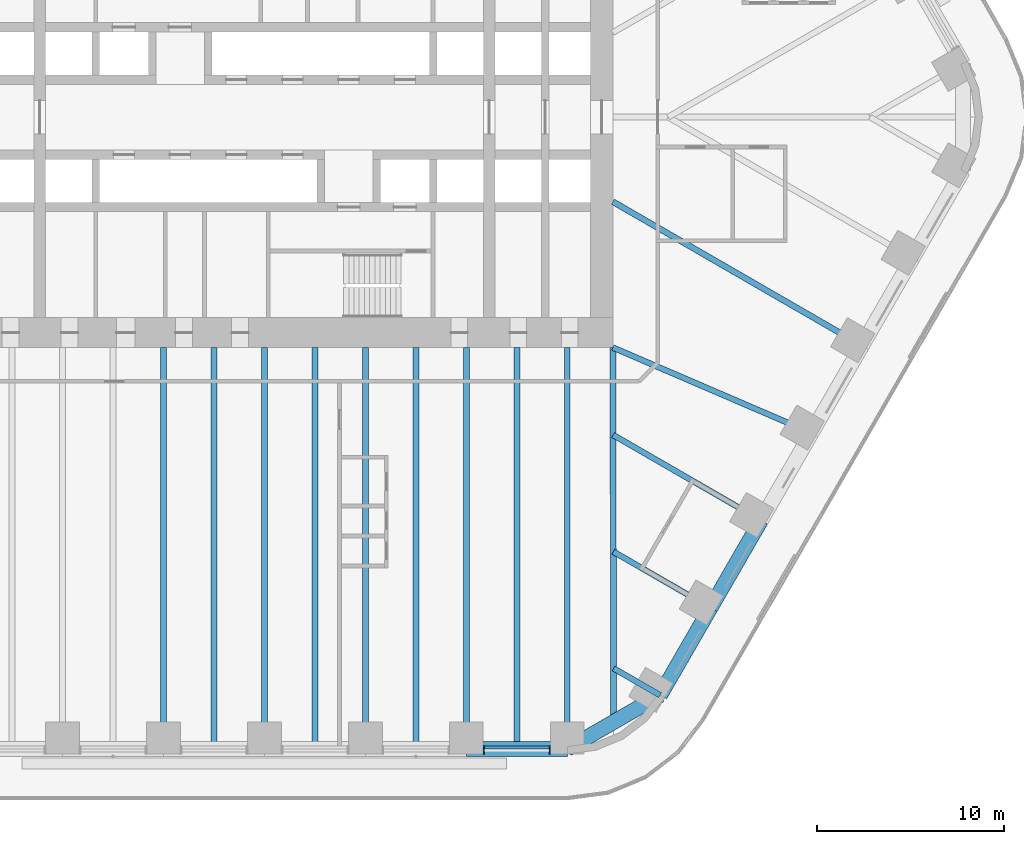
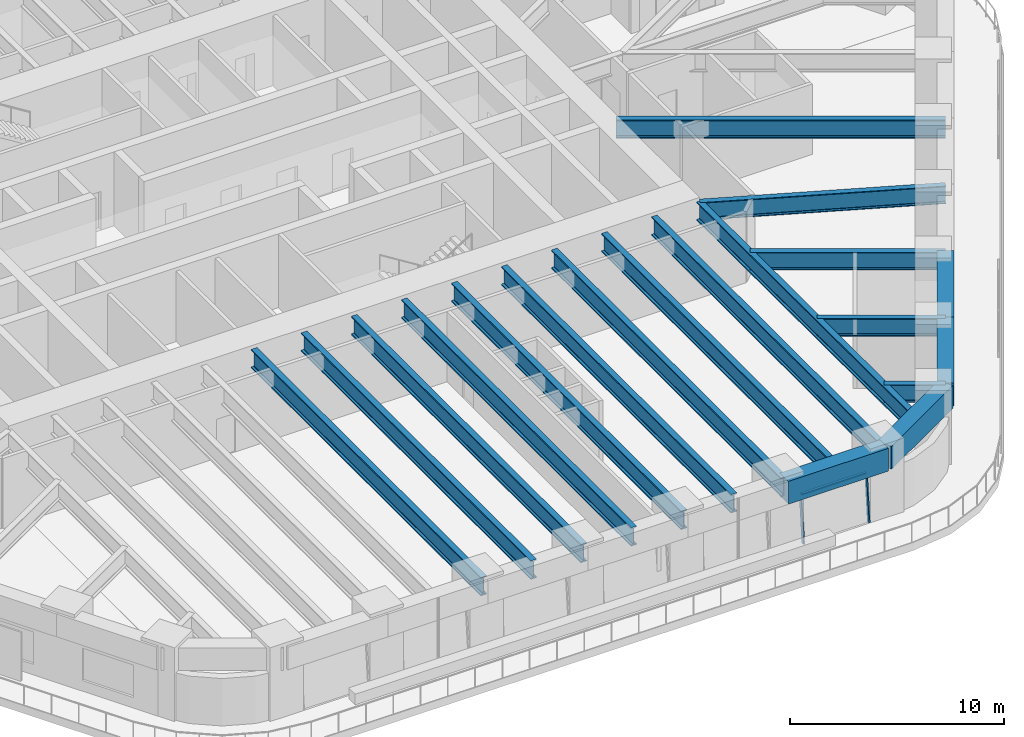
# One storey, part 5 of 24: 19 beams, 3 members, 1 element without a shape of its own.
"""IFC4 building model written with IfcOpenShell, lengths in metres."""

from ifc_helpers import new_model, si_unit, direction, frame, origin, origin_2d, place, context, subcontext, project, spatial, rectangle, i_section, extrude, material, material_profile, profile_set, type_object, element, aggregate, save


model = new_model("IFC4")

# Units and contexts
model_context = context("Model", 3, precision=1e-05, world=origin(), true_north=direction((0.0, 1.0)))
body_context = subcontext(model_context, "Body", "Model", "MODEL_VIEW")
ifc_project = project(units=[si_unit("LENGTHUNIT", "METRE"), si_unit("AREAUNIT", "SQUARE_METRE"), si_unit("VOLUMEUNIT", "CUBIC_METRE"), si_unit("PLANEANGLEUNIT", "RADIAN"), si_unit("MASSUNIT", "GRAM", prefix="KILO")], contexts=[model_context])

# Site, building, storey
site_placement = place(None, origin())
site = spatial("IfcSite", under=ifc_project, at=site_placement, CompositionType="ELEMENT")
building_placement = place(site_placement, origin())
building = spatial("IfcBuilding", under=site, at=building_placement, Name="Tarfa Lantern Tower", CompositionType="ELEMENT")
storey_placement = place(building_placement, frame((0.0, 0.0, 94.89990234375)))
storey = spatial("IfcBuildingStorey", under=building, at=storey_placement, Name="L21", CompositionType="ELEMENT", Elevation=94.89990234375)

# Curtain wall, members
ifc_material_1 = material(Name="Aluminium framed curtain wall", Category="aluminium")
curtain_wall_type = type_object("IfcCurtainWallType", Name="CW1 CANTED GLAZING LOW ZONE 2700", PredefinedType="USERDEFINED", material=ifc_material_1)
curtain_wall_placement = place(storey_placement, origin())
curtain_wall = element("IfcCurtainWall", 1, at=curtain_wall_placement, inside=storey, type_object=curtain_wall_type, Name="CW1 S L21", ObjectType="CURTAIN WALL", PredefinedType="USERDEFINED")
ifc_material_2 = material(Name="Aluminium mullion", Category="aluminium")
ifc_material_profile_1 = material_profile(ifc_material_2, rectangle(XDim=0.06494140625, YDim=0.199951171875, at=origin_2d()), Name="AL MULLION 65x200")
ifc_profile_set_1 = profile_set([ifc_material_profile_1], Name="Aluminium mullion")
member_type_1 = type_object("IfcMemberType", Name="CWM1 MULLION 65x200", PredefinedType="MULLION", material=ifc_profile_set_1)
member_1_placement = place(storey_placement, frame((11.709716796875, -33.89990234375, 0.0), z_axis=(0.0, 0.092191598296, 0.995741286281), x_axis=(-1.0, 0.0, 0.0)))
member_1 = element("IfcMember", 2, at=member_1_placement, type_object=member_type_1, Name="CW1 mullion 1", PredefinedType="MULLION", context=body_context, shape_type="SweptSolid", body=[
    extrude(rectangle(XDim=0.06494140625, YDim=0.199951171875, at=origin_2d()), origin(), (0.0, 0.0, 1.0), 2.711669921875),
])
member_2_placement = place(storey_placement, frame((15.2333984375, -33.89990234375, 0.0), z_axis=(0.0, 0.092191598296, 0.995741286281), x_axis=(-1.0, 0.0, 0.0)))
member_2 = element("IfcMember", 3, at=member_2_placement, type_object=member_type_1, Name="CW1 mullion 2", PredefinedType="MULLION", context=body_context, shape_type="SweptSolid", body=[
    extrude(rectangle(XDim=0.06494140625, YDim=0.199951171875, at=origin_2d()), origin(), (0.0, 0.0, 1.0), 2.711669921875),
])
ifc_material_3 = material(Name="Aluminium transom", Category="aluminium")
ifc_material_profile_2 = material_profile(ifc_material_3, rectangle(XDim=0.14990234375, YDim=0.06494140625, at=origin_2d()), Name="AL TRANSOM 150x65")
ifc_profile_set_2 = profile_set([ifc_material_profile_2], Name="Aluminium transom")
member_type_2 = type_object("IfcMemberType", Name="CWT1 TRANSOM 150x65", PredefinedType="USERDEFINED", material=ifc_profile_set_2)
member_3_placement = place(storey_placement, frame((11.7421875, -33.653076171875, 2.66748046875), z_axis=(1.0, 0.0, 0.0), x_axis=(0.0, 1.0, 0.0)))
member_3 = element("IfcMember", 4, at=member_3_placement, type_object=member_type_2, Name="CW1 transom 1.2", ObjectType="TRANSOM", PredefinedType="USERDEFINED", context=body_context, shape_type="SweptSolid", body=[
    extrude(rectangle(XDim=0.14990234375, YDim=0.06494140625, at=origin_2d()), origin(), (0.0, 0.0, 1.0), 3.458740234375),
])
aggregate(curtain_wall, [member_1, member_2, member_3])

# Beams
ifc_material_4 = material(Name="Concrete C80/95", Category="concrete")
ifc_material_profile_3 = material_profile(ifc_material_4, rectangle(XDim=0.800048828125, YDim=1.300048828125, at=origin_2d()), Name="RC 800x1300")
ifc_profile_set_3 = profile_set([ifc_material_profile_3], Name="Concrete C80/95")
beam_type_1 = type_object("IfcBeamType", Name="EB1 RC 800x1300", PredefinedType="SPANDREL", material=ifc_profile_set_3)
beam_1_placement = place(storey_placement, frame((10.777099609375, -33.719970703125, 3.35009765625), z_axis=(1.0, 0.0, 0.0), x_axis=(0.0, 1.0, 0.0)))
element("IfcBeam", 5, at=beam_1_placement, inside=storey, type_object=beam_type_1, Name="Edge beam S5", PredefinedType="SPANDREL", context=body_context, shape_type="SweptSolid", body=[
    extrude(rectangle(XDim=0.800048828125, YDim=1.300048828125, at=origin_2d()), origin(), (0.0, 0.0, 1.0), 5.388671875),
])
beam_2_placement = place(storey_placement, frame((16.165771484375, -33.719970703125, 3.35009765625), z_axis=(0.866033479681, 0.499986011877, 0.0), x_axis=(-0.499986011877, 0.866033479681, 0.0)))
element("IfcBeam", 6, at=beam_2_placement, inside=storey, type_object=beam_type_1, Name="Edge beam S6", PredefinedType="SPANDREL", context=body_context, shape_type="SweptSolid", body=[
    extrude(rectangle(XDim=0.800048828125, YDim=1.300048828125, at=origin_2d()), origin(), (0.0, 0.0, 1.0), 5.719970703125),
])
for number, where, z_axis, x_axis, name in (
    (7, (21.119384765625, -30.860107421875, 3.35009765625), (0.499998287579, 0.866026392449, 0.0), (-0.866026392449, 0.499998287579, 0.0), "Edge beam SE0"),
    (8, (23.813720703125, -26.193359375, 3.35009765625), (0.499998287579, 0.866026392449, 0.0), (-0.866026392449, 0.499998287579, 0.0), "Edge beam SE1"),
):
    element("IfcBeam", number, at=place(storey_placement, frame(where, z_axis=z_axis, x_axis=x_axis)), inside=storey, type_object=beam_type_1, Name=name, PredefinedType="SPANDREL", context=body_context, shape_type="SweptSolid", body=[
        extrude(rectangle(XDim=0.800048828125, YDim=1.300048828125, at=origin_2d()), origin(), (0.0, 0.0, 1.0), 5.388671875),
    ])
ifc_material_5 = material(Name="Steel S460M", Category="steel")
ifc_material_profile_4 = material_profile(ifc_material_5, i_section(OverallWidth=0.302001953125, OverallDepth=1.008056640625, WebThickness=0.02099609375, FlangeThickness=0.0400390625, FilletRadius=0.030029296875, at=origin_2d()), Name="UB1016x305x349")
ifc_profile_set_4 = profile_set([ifc_material_profile_4], Name="Steel S460M")
beam_type_2 = type_object("IfcBeamType", Name="UB1016x305x349", PredefinedType="BEAM", material=ifc_profile_set_4)
beam_3_placement = place(storey_placement, frame((21.119384765625, -30.860107421875, 3.49609375), z_axis=(-0.866012580594, 0.500022209759, 0.0), x_axis=(-0.500022209759, -0.866012580594, 0.0)))
element("IfcBeam", 9, at=beam_3_placement, inside=storey, type_object=beam_type_2, Name="Floor beam SE0", PredefinedType="BEAM", context=body_context, shape_type="SweptSolid", body=[
    extrude(i_section(OverallWidth=0.302001953125, OverallDepth=1.008056640625, WebThickness=0.02099609375, FlangeThickness=0.0400390625, FilletRadius=0.030029296875, at=origin_2d()), origin(), (0.0, 0.0, 1.0), 2.866943359375),
])
beam_4_placement = place(storey_placement, frame((23.813720703125, -26.193359375, 3.49609375), z_axis=(-0.866015997389, 0.500016292001, 0.0), x_axis=(-0.500016292001, -0.866015997389, 0.0)))
element("IfcBeam", 10, at=beam_4_placement, inside=storey, type_object=beam_type_2, Name="Floor beam SE1", PredefinedType="BEAM", context=body_context, shape_type="SweptSolid", body=[
    extrude(i_section(OverallWidth=0.302001953125, OverallDepth=1.008056640625, WebThickness=0.02099609375, FlangeThickness=0.0400390625, FilletRadius=0.030029296875, at=origin_2d()), origin(), (0.0, 0.0, 1.0), 5.993408203125),
])
beam_5_placement = place(storey_placement, frame((26.508056640625, -21.526611328125, 3.49609375), z_axis=(-0.866035355799, 0.49998276221, 0.0), x_axis=(-0.49998276221, -0.866035355799, 0.0)))
element("IfcBeam", 11, at=beam_5_placement, inside=storey, type_object=beam_type_2, Name="Floor beam SE2", PredefinedType="BEAM", context=body_context, shape_type="SweptSolid", body=[
    extrude(i_section(OverallWidth=0.302001953125, OverallDepth=1.008056640625, WebThickness=0.02099609375, FlangeThickness=0.0400390625, FilletRadius=0.030029296875, at=origin_2d()), origin(), (0.0, 0.0, 1.0), 9.119873046875),
])
beam_6_placement = place(storey_placement, frame((29.202392578125, -16.860107421875, 3.49609375), z_axis=(-0.918635483867, 0.395106122175, 0.0), x_axis=(-0.395106122175, -0.918635483867, 0.0)))
element("IfcBeam", 12, at=beam_6_placement, inside=storey, type_object=beam_type_2, Name="Floor beam SE3", PredefinedType="BEAM", context=body_context, shape_type="SweptSolid", body=[
    extrude(i_section(OverallWidth=0.302001953125, OverallDepth=1.008056640625, WebThickness=0.02099609375, FlangeThickness=0.0400390625, FilletRadius=0.030029296875, at=origin_2d()), origin(), (0.0, 0.0, 1.0), 11.541259765625),
])
ifc_material_profile_5 = material_profile(ifc_material_5, i_section(OverallWidth=0.314208984375, OverallDepth=1.055908203125, WebThickness=0.035888671875, FlangeThickness=0.06396484375, FilletRadius=0.030029296875, at=origin_2d()), Name="UB1016x305x584")
ifc_profile_set_5 = profile_set([ifc_material_profile_5], Name="Steel S460M")
beam_type_3 = type_object("IfcBeamType", Name="UB1016x305x584", PredefinedType="BEAM", material=ifc_profile_set_5)
beam_7_placement = place(storey_placement, frame((18.60009765625, -12.300048828125, 3.47216796875), z_axis=(0.00212508222, -0.99999774201, 0.0), x_axis=(0.99999774201, 0.00212508222, 0.0)))
element("IfcBeam", 13, at=beam_7_placement, inside=storey, type_object=beam_type_3, Name="Hip girder SE", PredefinedType="BEAM", context=body_context, shape_type="SweptSolid", body=[
    extrude(i_section(OverallWidth=0.314208984375, OverallDepth=1.055908203125, WebThickness=0.035888671875, FlangeThickness=0.06396484375, FilletRadius=0.030029296875, at=origin_2d()), origin(), (0.0, 0.0, 1.0), 19.989990234375),
])
for number, where, z_axis, x_axis, name in (
    (14, (-5.388671875, -33.719970703125, 3.47216796875), (0.0, 1.0, 0.0), (-1.0, 0.0, 0.0), "Floor beam S2"),
    (15, (0.0, -33.719970703125, 3.47216796875), (0.0, 1.0, 0.0), (-1.0, 0.0, 0.0), "Floor beam S3"),
    (16, (5.388671875, -33.719970703125, 3.47216796875), (0.0, 1.0, 0.0), (-1.0, 0.0, 0.0), "Floor beam S4"),
    (17, (10.777099609375, -33.719970703125, 3.47216796875), (0.0, 1.0, 0.0), (-1.0, 0.0, 0.0), "Floor beam S5"),
    (18, (16.165771484375, -33.719970703125, 3.47216796875), (0.0, 1.0, 0.0), (-1.0, 0.0, 0.0), "Floor beam S6"),
):
    element("IfcBeam", number, at=place(storey_placement, frame(where, z_axis=z_axis, x_axis=x_axis)), inside=storey, type_object=beam_type_3, Name=name, PredefinedType="BEAM", context=body_context, shape_type="SweptSolid", body=[
        extrude(i_section(OverallWidth=0.314208984375, OverallDepth=1.055908203125, WebThickness=0.035888671875, FlangeThickness=0.06396484375, FilletRadius=0.030029296875, at=origin_2d()), origin(), (0.0, 0.0, 1.0), 21.419921875),
    ])
beam_8_placement = place(storey_placement, frame((31.896728515625, -12.193359375, 3.47216796875), z_axis=(-0.866026971665, 0.499997284341, 0.0), x_axis=(-0.499997284341, -0.866026971665, 0.0)))
element("IfcBeam", 19, at=beam_8_placement, inside=storey, type_object=beam_type_3, Name="Floor beam SE4", PredefinedType="BEAM", context=body_context, shape_type="SweptSolid", body=[
    extrude(i_section(OverallWidth=0.314208984375, OverallDepth=1.055908203125, WebThickness=0.035888671875, FlangeThickness=0.06396484375, FilletRadius=0.030029296875, at=origin_2d()), origin(), (0.0, 0.0, 1.0), 15.353515625),
])
for number, where, z_axis, x_axis, name in (
    (20, (-2.6943359375, -33.719970703125, 3.47216796875), (0.0, 1.0, 0.0), (-1.0, 0.0, 0.0), "Floor beam S2M"),
    (21, (2.6943359375, -33.719970703125, 3.47216796875), (0.0, 1.0, 0.0), (-1.0, 0.0, 0.0), "Floor beam S3M"),
    (22, (8.0830078125, -33.719970703125, 3.47216796875), (0.0, 1.0, 0.0), (-1.0, 0.0, 0.0), "Floor beam S4M"),
    (23, (13.471435546875, -33.719970703125, 3.47216796875), (0.0, 1.0, 0.0), (-1.0, 0.0, 0.0), "Floor beam S5M"),
):
    element("IfcBeam", number, at=place(storey_placement, frame(where, z_axis=z_axis, x_axis=x_axis)), inside=storey, type_object=beam_type_3, Name=name, PredefinedType="BEAM", context=body_context, shape_type="SweptSolid", body=[
        extrude(i_section(OverallWidth=0.314208984375, OverallDepth=1.055908203125, WebThickness=0.035888671875, FlangeThickness=0.06396484375, FilletRadius=0.030029296875, at=origin_2d()), origin(), (0.0, 0.0, 1.0), 21.419921875),
    ])

save(model, "model.ifc")
